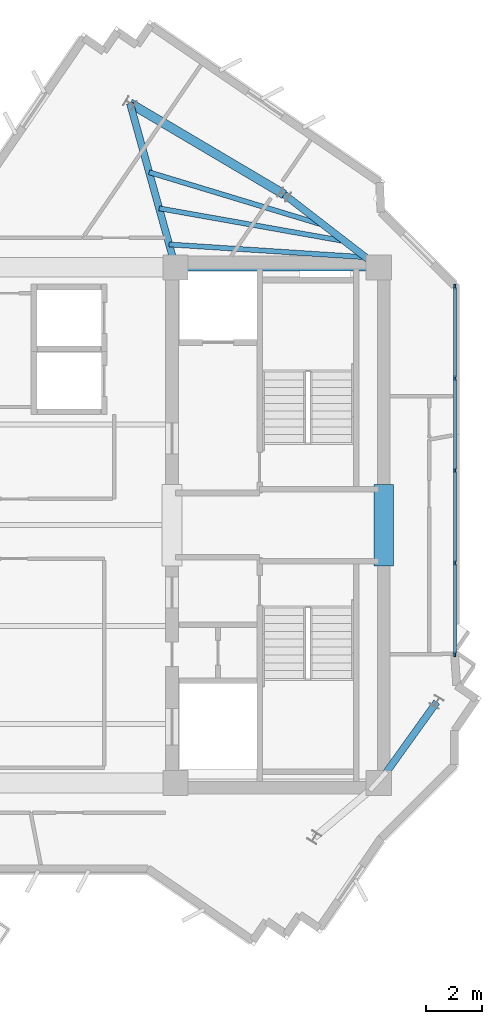
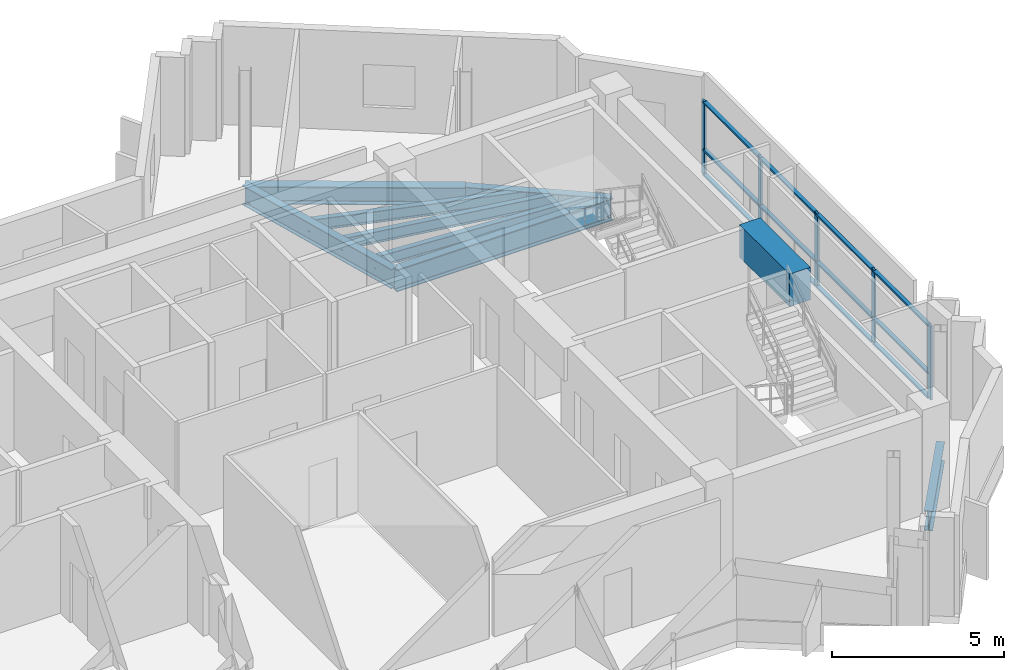
# One storey, part 3 of 11: 17 members, 9 beams, 1 element without a shape of its own.
"""IFC4 building model written with IfcOpenShell, lengths in metres."""

import ifcopenshell
import ifcopenshell.guid

model = None  # the IFC model being written
_history = None  # IfcOwnerHistory: only IFC2X3 demands one
_inside = {}  # id of a spatial element -> (the spatial element, [elements in it])
_under = {}  # id of a project, library or spatial element -> (it, [spatial elements below it])
_declared = {}  # id of a project -> (the project, [libraries it declares])
_typed = {}  # id of a type object -> (the type object, [elements of that type])
_made_of = {}  # id of a material, layer set ... -> (it, [elements and type objects made of it])


def new_model(schema):
    """Start an empty IFC model of exactly this schema.

    Asked for "IFC4X3", IfcOpenShell would pick the latest addendum, in which some entities
    have other attributes; the version numbers below select the first issue.
    IFC2X3 requires an IfcOwnerHistory on every rooted entity: one is made here for all.
    """
    global model, _history
    if schema == "IFC4X3":
        model = ifcopenshell.file(schema_version=(4, 3, 0, 0))
    else:
        model = ifcopenshell.file(schema=schema)
    _inside.clear()
    _under.clear()
    _declared.clear()
    _typed.clear()
    _made_of.clear()
    _history = None
    if model.schema == "IFC2X3":
        org = make("IfcOrganization", Name="unknown")
        user = make(
            "IfcPersonAndOrganization",
            ThePerson=make("IfcPerson", FamilyName="unknown"),
            TheOrganization=org,
        )
        app = make(
            "IfcApplication",
            ApplicationDeveloper=org,
            Version="unknown",
            ApplicationFullName="unknown",
            ApplicationIdentifier="unknown",
        )
        _history = make(
            "IfcOwnerHistory",
            OwningUser=user,
            OwningApplication=app,
            ChangeAction="ADDED",
            CreationDate=0,
        )
    return model


def make(cls, **values):
    """One entity of the class cls with the attributes given. An attribute that is None is left unset."""
    return model.create_entity(
        cls, **{name: value for name, value in values.items() if value is not None}
    )


def rooted(cls, **values):
    """An entity with a GlobalId (a new one), such as an element, a storey or a relation."""
    return make(cls, GlobalId=ifcopenshell.guid.new(), OwnerHistory=_history, **values)


def si_unit(unit_type, name, prefix=None):
    """IfcSIUnit, for example si_unit("LENGTHUNIT", "METRE", prefix="MILLI")."""
    return make("IfcSIUnit", UnitType=unit_type, Prefix=prefix, Name=name)


def assignment(units):
    """IfcUnitAssignment: the units of a project."""
    return None if units is None else make("IfcUnitAssignment", Units=units)


def point(xyz):
    """IfcCartesianPoint."""
    return None if xyz is None else make("IfcCartesianPoint", Coordinates=xyz)


def direction(xyz):
    """IfcDirection."""
    return None if xyz is None else make("IfcDirection", DirectionRatios=xyz)


def frame(location, z_axis=None, x_axis=None):
    """IfcAxis2Placement3D, a coordinate frame: its origin and axes. An axis left out is left unset."""
    return make(
        "IfcAxis2Placement3D",
        Location=point(location),
        Axis=direction(z_axis),
        RefDirection=direction(x_axis),
    )


def frame_2d(location, x_axis=None):
    """IfcAxis2Placement2D, a coordinate frame in the plane: its origin and x axis."""
    return make(
        "IfcAxis2Placement2D", Location=point(location), RefDirection=direction(x_axis)
    )


def origin():
    """The frame at (0, 0, 0) with its axes left unset."""
    return frame((0.0, 0.0, 0.0))


def origin_2d():
    """The frame at (0, 0) in the plane with its x axis left unset."""
    return frame_2d((0.0, 0.0))


def place(relative_to, where):
    """IfcLocalPlacement: puts the frame where relative to a parent placement (None: the world)."""
    return make(
        "IfcLocalPlacement", PlacementRelTo=relative_to, RelativePlacement=where
    )


def context(
    kind, dimensions, precision=None, world=None, true_north=None, identifier=None
):
    """IfcGeometricRepresentationContext, for example the 3D "Model" context."""
    return make(
        "IfcGeometricRepresentationContext",
        ContextIdentifier=identifier,
        ContextType=kind,
        CoordinateSpaceDimension=dimensions,
        Precision=precision,
        WorldCoordinateSystem=world,
        TrueNorth=true_north,
    )


def subcontext(parent, identifier, kind, view, scale=None):
    """IfcGeometricRepresentationSubContext, for example "Body" below "Model"."""
    return make(
        "IfcGeometricRepresentationSubContext",
        ContextIdentifier=identifier,
        ContextType=kind,
        ParentContext=parent,
        TargetScale=scale,
        TargetView=view,
    )


def project(units=None, contexts=None):
    """IfcProject with its units and contexts."""
    return rooted(
        "IfcProject",
        Name="project",
        RepresentationContexts=contexts,
        UnitsInContext=assignment(units),
    )


def spatial(cls, under=None, at=None, **own):
    """A site, building, storey or space (cls), placed at a placement, below another one or the project."""
    s = rooted(cls, ObjectPlacement=at, **own)
    if under is not None:
        _under.setdefault(under.id(), (under, []))[1].append(s)
    return s


def profile(cls, at=None, kind="AREA", **sizes):
    """A parametric profile (cls). Its sizes go by their IFC names, for example OverallWidth=200.0."""
    return make(cls, ProfileType=kind, Position=at, **sizes)


def rectangle(**sizes):
    """IfcRectangleProfileDef."""
    return profile("IfcRectangleProfileDef", **sizes)


def i_section(**sizes):
    """IfcIShapeProfileDef."""
    return profile("IfcIShapeProfileDef", **sizes)


def extrude(swept, where, along, depth):
    """IfcExtrudedAreaSolid: the profile swept, set in the frame where, extruded along a direction by depth."""
    return make(
        "IfcExtrudedAreaSolid",
        SweptArea=swept,
        Position=where,
        ExtrudedDirection=direction(along),
        Depth=depth,
    )


def shape(context_of_items, identifier, shape_type, items):
    """IfcShapeRepresentation: the items that make up one representation, for example the "Body"."""
    return make(
        "IfcShapeRepresentation",
        ContextOfItems=context_of_items,
        RepresentationIdentifier=identifier,
        RepresentationType=shape_type,
        Items=items,
    )


def source(mapping_origin, context_of_items, identifier, shape_type, items):
    """IfcRepresentationMap: a shape defined once, which mapped items show again and again."""
    return make(
        "IfcRepresentationMap",
        MappingOrigin=mapping_origin,
        MappedRepresentation=shape(context_of_items, identifier, shape_type, items),
    )


def transform(
    local_origin,
    x_axis=None,
    y_axis=None,
    z_axis=None,
    scale=None,
    scale2=None,
    scale3=None,
    uniform=True,
):
    """IfcCartesianTransformationOperator3D, or its non-uniform kind. x_axis, y_axis, z_axis: its Axis1, 2, 3."""
    if uniform:
        return make(
            "IfcCartesianTransformationOperator3D",
            Axis1=direction(x_axis),
            Axis2=direction(y_axis),
            LocalOrigin=point(local_origin),
            Scale=scale,
            Axis3=direction(z_axis),
        )
    return make(
        "IfcCartesianTransformationOperator3DnonUniform",
        Axis1=direction(x_axis),
        Axis2=direction(y_axis),
        LocalOrigin=point(local_origin),
        Scale=scale,
        Axis3=direction(z_axis),
        Scale2=scale2,
        Scale3=scale3,
    )


def mapped(mapping_source, mapping_target):
    """IfcMappedItem: shows the shape of a source again, moved by a transform."""
    return make(
        "IfcMappedItem", MappingSource=mapping_source, MappingTarget=mapping_target
    )


def material(Name=None, Category=None):
    """IfcMaterial."""
    return make("IfcMaterial", Name=Name, Category=Category)


def layer(
    of_material, thickness, ventilated=None, Name=None, Category=None, Priority=None
):
    """IfcMaterialLayer: one layer of a wall or slab, of a material (None: an air gap)."""
    return make(
        "IfcMaterialLayer",
        Material=of_material,
        LayerThickness=thickness,
        IsVentilated=ventilated,
        Name=Name,
        Category=Category,
        Priority=Priority,
    )


def layer_set(layers, Name=None):
    """IfcMaterialLayerSet."""
    return make("IfcMaterialLayerSet", MaterialLayers=layers, LayerSetName=Name)


def material_profile(
    of_material, cross_section, Name=None, Category=None, Priority=None
):
    """IfcMaterialProfile: a cross section and its material."""
    return make(
        "IfcMaterialProfile",
        Name=Name,
        Material=of_material,
        Profile=cross_section,
        Priority=Priority,
        Category=Category,
    )


def profile_set(profiles, Name=None, composite=None):
    """IfcMaterialProfileSet."""
    return make(
        "IfcMaterialProfileSet",
        Name=Name,
        MaterialProfiles=profiles,
        CompositeProfile=composite,
    )


def made_of(thing, what):
    """Note that an element or type object is made of a material, layer set ...; save() writes the relation."""
    if what is not None:
        _made_of.setdefault(what.id(), (what, []))[1].append(thing)
    return thing


def type_object(cls, material=None, **own):
    """A type object (cls), such as IfcWallType, which elements share."""
    return made_of(rooted(cls, **own), material)


def element(
    cls,
    number,
    at=None,
    inside=None,
    cuts=None,
    type_object=None,
    material=None,
    context=None,
    identifier="Body",
    shape_type=None,
    held_by="IfcProductDefinitionShape",
    body=None,
    shapes=None,
    **own,
):
    """One element of the class cls, such as IfcWall. Its Tag is "e" and its number.

    at: its placement. inside: the storey or other place that contains it. cuts: it is an
    opening in that element (IfcRelVoidsElement). A single representation is given by context,
    identifier, shape_type and body (its items); several are given by shapes. held_by: the class
    of the entity that holds the representations. save() writes the other relations.
    """
    e = rooted(cls, Tag="e%d" % number, ObjectPlacement=at, **own)
    if body is not None:
        shapes = [shape(context, identifier, shape_type, body)]
    if shapes is not None:
        e.Representation = make(held_by, Representations=shapes)
    if inside is not None:
        _inside.setdefault(inside.id(), (inside, []))[1].append(e)
    if cuts is not None:
        rooted(
            "IfcRelVoidsElement", RelatingBuildingElement=cuts, RelatedOpeningElement=e
        )
    if type_object is not None:
        _typed.setdefault(type_object.id(), (type_object, []))[1].append(e)
    return made_of(e, material)


def aggregate(whole, parts):
    """IfcRelAggregates: a whole, such as a stair, and the parts it consists of."""
    return rooted("IfcRelAggregates", RelatingObject=whole, RelatedObjects=parts)


def save(model, path):
    """Write the relations noted so far, then the file.

    IfcRelAggregates (storeys below a building ...), IfcRelContainedInSpatialStructure (elements
    in a storey), IfcRelDefinesByType, IfcRelAssociatesMaterial and IfcRelDeclares: one each for
    every whole, place, type object, material and project.
    """
    for whole, parts in _under.values():
        aggregate(whole, parts)
    for where, things in _inside.values():
        rooted(
            "IfcRelContainedInSpatialStructure",
            RelatedElements=things,
            RelatingStructure=where,
        )
    for kind, things in _typed.values():
        rooted("IfcRelDefinesByType", RelatedObjects=things, RelatingType=kind)
    for what, things in _made_of.values():
        rooted("IfcRelAssociatesMaterial", RelatedObjects=things, RelatingMaterial=what)
    for by, libraries in _declared.values():
        rooted("IfcRelDeclares", RelatingContext=by, RelatedDefinitions=libraries)
    model.write(path)


model = new_model("IFC4")

# Units and contexts
model_context = context("Model", 3, precision=1e-05, world=origin(), true_north=direction((0.0, 1.0)))
body_context = subcontext(model_context, "Body", "Model", "MODEL_VIEW")
ifc_project = project(units=[si_unit("LENGTHUNIT", "METRE"), si_unit("AREAUNIT", "SQUARE_METRE"), si_unit("VOLUMEUNIT", "CUBIC_METRE"), si_unit("PLANEANGLEUNIT", "RADIAN"), si_unit("MASSUNIT", "GRAM", prefix="KILO")], contexts=[model_context])

# Site, building, storey
site_placement = place(None, origin())
site = spatial("IfcSite", under=ifc_project, at=site_placement, CompositionType="ELEMENT")
building_placement = place(site_placement, origin())
building = spatial("IfcBuilding", under=site, at=building_placement, Name="Zahravan Cultural Tower", CompositionType="ELEMENT")
storey_placement = place(building_placement, frame((0.0, 0.0, 334.800048828125)))
storey = spatial("IfcBuildingStorey", under=building, at=storey_placement, Name="L81", CompositionType="ELEMENT", Elevation=334.800048828125)

# Beams
ifc_material_1 = material(Name="Concrete C50/60", Category="concrete")
ifc_material_profile_1 = material_profile(ifc_material_1, rectangle(XDim=0.699951171875, YDim=1.14990234375, at=origin_2d()), Name="RC700X1150")
ifc_profile_set_1 = profile_set([ifc_material_profile_1], Name="Concrete C50/60")
beam_type_1 = type_object("IfcBeamType", Name="BM-LN-RC700X1150", PredefinedType="LINTEL", material=ifc_profile_set_1)
shared_shape_1 = source(origin(), body_context, "Body", "SweptSolid", [
    extrude(rectangle(XDim=0.699951171875, YDim=1.14990234375, at=origin_2d()), origin(), (0.0, 0.0, 1.0), 2.89990234375),
])
beam_1_placement = place(storey_placement, frame((50.52490234375, 25.550048828125, 2.925048828125), z_axis=(0.0, 1.0, 0.0), x_axis=(-1.0, 0.0, 0.0)))
element("IfcBeam", 1, at=beam_1_placement, inside=storey, type_object=beam_type_1, Name="L81 Beam LN-L81-PEE", PredefinedType="LINTEL", context=body_context, shape_type="MappedRepresentation", body=[
    mapped(shared_shape_1, transform((0.0, 0.0, 0.0), x_axis=(1.0, 0.0, 0.0), y_axis=(0.0, 1.0, 0.0), z_axis=(0.0, 0.0, 1.0), scale=1.0)),
])
ifc_material_2 = material(Name="Steel ASTM A992 Grade 50", Category="steel")
ifc_material_profile_2 = material_profile(ifc_material_2, i_section(OverallWidth=0.26611328125, OverallDepth=0.780029296875, WebThickness=0.0166015625, FlangeThickness=0.030029296875, FilletRadius=0.01904296875, at=origin_2d()), Name="W30X148")
ifc_profile_set_2 = profile_set([ifc_material_profile_2], Name="Steel ASTM A992 Grade 50")
beam_type_2 = type_object("IfcBeamType", Name="BM-G-W30X148", PredefinedType="BEAM", material=ifc_profile_set_2)
shared_shape_2 = source(origin(), body_context, "Body", "SweptSolid", [
    extrude(i_section(OverallWidth=0.26611328125, OverallDepth=0.780029296875, WebThickness=0.0166015625, FlangeThickness=0.030029296875, FilletRadius=0.01904296875, at=origin_2d()), origin(), (0.0, 0.0, 1.0), 7.25),
])
beam_2_placement = place(storey_placement, frame((43.10009765625, 36.199951171875, -0.64013671875), z_axis=(1.0, 0.0, 0.0), x_axis=(0.0, 1.0, 0.0)))
element("IfcBeam", 2, at=beam_2_placement, inside=storey, type_object=beam_type_2, Name="L81 Beam BG-L81-05", PredefinedType="BEAM", context=body_context, shape_type="MappedRepresentation", body=[
    mapped(shared_shape_2, transform((0.0, 0.0, 0.0), x_axis=(1.0, 0.0, 0.0), y_axis=(0.0, 1.0, 0.0), z_axis=(0.0, 0.0, 1.0), scale=1.0)),
])
ifc_material_profile_3 = material_profile(ifc_material_2, i_section(OverallWidth=0.326904296875, OverallDepth=0.6220703125, WebThickness=0.015380859375, FlangeThickness=0.0244140625, FilletRadius=0.014892578125, at=origin_2d()), Name="W24X131")
ifc_profile_set_3 = profile_set([ifc_material_profile_3], Name="Steel ASTM A992 Grade 50")
beam_type_3 = type_object("IfcBeamType", Name="BM-SP-W24X131", PredefinedType="SPANDREL", material=ifc_profile_set_3)
shared_shape_3 = source(origin(), body_context, "Body", "SweptSolid", [
    extrude(i_section(OverallWidth=0.326904296875, OverallDepth=0.6220703125, WebThickness=0.015380859375, FlangeThickness=0.0244140625, FilletRadius=0.014892578125, at=origin_2d()), origin(), (0.0, 0.0, 1.0), 6.400634765625),
])
beam_3_placement = place(storey_placement, frame((46.98388671875, 38.7998046875, -0.56103515625), z_axis=(-0.860706991833, 0.509100652337, 0.0), x_axis=(-0.509100652337, -0.860706991833, 0.0)))
element("IfcBeam", 3, at=beam_3_placement, inside=storey, type_object=beam_type_3, Name="L81 Beam SP-L81-17", PredefinedType="SPANDREL", context=body_context, shape_type="MappedRepresentation", body=[
    mapped(shared_shape_3, transform((0.0, 0.0, 0.0), x_axis=(1.0, 0.0, 0.0), y_axis=(0.0, 1.0, 0.0), z_axis=(0.0, 0.0, 1.0), scale=1.0)),
])
ifc_material_profile_4 = material_profile(ifc_material_2, i_section(OverallWidth=0.177978515625, OverallDepth=0.406005859375, WebThickness=0.0078125, FlangeThickness=0.0126953125, FilletRadius=0.011962890625, at=origin_2d()), Name="W16X40")
ifc_profile_set_4 = profile_set([ifc_material_profile_4], Name="Steel ASTM A992 Grade 50")
beam_type_4 = type_object("IfcBeamType", Name="BM-J-W16X40", PredefinedType="JOIST", material=ifc_profile_set_4)
shared_shape_4 = source(origin(), body_context, "Body", "SweptSolid", [
    extrude(i_section(OverallWidth=0.177978515625, OverallDepth=0.406005859375, WebThickness=0.0078125, FlangeThickness=0.0126953125, FilletRadius=0.011962890625, at=origin_2d()), origin(), (0.0, 0.0, 1.0), 7.02099609375),
])
beam_4_placement = place(storey_placement, frame((49.878662109375, 36.56396484375, -0.453125), z_axis=(-0.99788584579, 0.064991066863, 0.0), x_axis=(-0.064991066863, -0.99788584579, 0.0)))
element("IfcBeam", 4, at=beam_4_placement, inside=storey, type_object=beam_type_4, Name="L81 Beam BJ-L81-40", PredefinedType="JOIST", context=body_context, shape_type="MappedRepresentation", body=[
    mapped(shared_shape_4, transform((0.0, 0.0, 0.0), x_axis=(1.0, 0.0, 0.0), y_axis=(0.0, 1.0, 0.0), z_axis=(0.0, 0.0, 1.0), scale=1.0)),
])
shared_shape_5 = source(origin(), body_context, "Body", "SweptSolid", [
    extrude(i_section(OverallWidth=0.177978515625, OverallDepth=0.406005859375, WebThickness=0.0078125, FlangeThickness=0.0126953125, FilletRadius=0.011962890625, at=origin_2d()), origin(), (0.0, 0.0, 1.0), 6.726318359375),
])
beam_5_placement = place(storey_placement, frame((49.13818359375, 37.135986328125, -0.453125), z_axis=(-0.98467447748, 0.17440233198, 0.0), x_axis=(-0.17440233198, -0.98467447748, 0.0)))
element("IfcBeam", 5, at=beam_5_placement, inside=storey, type_object=beam_type_4, Name="L81 Beam BJ-L81-42", PredefinedType="JOIST", context=body_context, shape_type="MappedRepresentation", body=[
    mapped(shared_shape_5, transform((0.0, 0.0, 0.0), x_axis=(1.0, 0.0, 0.0), y_axis=(0.0, 1.0, 0.0), z_axis=(0.0, 0.0, 1.0), scale=1.0)),
])
shared_shape_6 = source(origin(), body_context, "Body", "SweptSolid", [
    extrude(i_section(OverallWidth=0.177978515625, OverallDepth=0.406005859375, WebThickness=0.0078125, FlangeThickness=0.0126953125, FilletRadius=0.011962890625, at=origin_2d()), origin(), (0.0, 0.0, 1.0), 6.520263671875),
])
beam_6_placement = place(storey_placement, frame((48.397705078125, 37.707763671875, -0.453125), z_axis=(-0.957060297679, 0.289888921151, 0.0), x_axis=(-0.289888921151, -0.957060297679, 0.0)))
element("IfcBeam", 6, at=beam_6_placement, inside=storey, type_object=beam_type_4, Name="L81 Beam BJ-L81-44", PredefinedType="JOIST", context=body_context, shape_type="MappedRepresentation", body=[
    mapped(shared_shape_6, transform((0.0, 0.0, 0.0), x_axis=(1.0, 0.0, 0.0), y_axis=(0.0, 1.0, 0.0), z_axis=(0.0, 0.0, 1.0), scale=1.0)),
])
ifc_material_profile_5 = material_profile(ifc_material_2, i_section(OverallWidth=0.25390625, OverallDepth=0.68798828125, WebThickness=0.01318359375, FlangeThickness=0.02099609375, FilletRadius=0.01806640625, at=origin_2d()), Name="W27X102")
ifc_profile_set_5 = profile_set([ifc_material_profile_5], Name="Steel ASTM A992 Grade 50")
beam_type_5 = type_object("IfcBeamType", Name="BM-G-W27X102", PredefinedType="BEAM", material=ifc_profile_set_5)
shared_shape_7 = source(origin(), body_context, "Body", "SweptSolid", [
    extrude(i_section(OverallWidth=0.25390625, OverallDepth=0.68798828125, WebThickness=0.01318359375, FlangeThickness=0.02099609375, FilletRadius=0.01806640625, at=origin_2d()), origin(), (0.0, 0.0, 1.0), 4.25341796875),
])
beam_7_placement = place(storey_placement, frame((50.35009765625, 36.199951171875, -0.593994140625), z_axis=(-0.791433936253, 0.611254713313, 0.0), x_axis=(-0.611254713313, -0.791433936253, 0.0)))
element("IfcBeam", 7, at=beam_7_placement, inside=storey, type_object=beam_type_5, Name="L81 Beam BG-L81-11", PredefinedType="BEAM", context=body_context, shape_type="MappedRepresentation", body=[
    mapped(shared_shape_7, transform((0.0, 0.0, 0.0), x_axis=(1.0, 0.0, 0.0), y_axis=(0.0, 1.0, 0.0), z_axis=(0.0, 0.0, 1.0), scale=1.0)),
])
shared_shape_8 = source(origin(), body_context, "Body", "SweptSolid", [
    extrude(i_section(OverallWidth=0.25390625, OverallDepth=0.68798828125, WebThickness=0.01318359375, FlangeThickness=0.02099609375, FilletRadius=0.01806640625, at=origin_2d()), origin(), (0.0, 0.0, 1.0), 6.07958984375),
])
beam_8_placement = place(storey_placement, frame((43.10009765625, 36.199951171875, -0.593994140625), z_axis=(-0.267324894686, 0.963606455292, 0.0), x_axis=(-0.963606455292, -0.267324894686, 0.0)))
element("IfcBeam", 8, at=beam_8_placement, inside=storey, type_object=beam_type_5, Name="L81 Beam BG-L81-12", PredefinedType="BEAM", context=body_context, shape_type="MappedRepresentation", body=[
    mapped(shared_shape_8, transform((0.0, 0.0, 0.0), x_axis=(1.0, 0.0, 0.0), y_axis=(0.0, 1.0, 0.0), z_axis=(0.0, 0.0, 1.0), scale=1.0)),
])
shared_shape_9 = source(origin(), body_context, "Body", "SweptSolid", [
    extrude(i_section(OverallWidth=0.25390625, OverallDepth=0.68798828125, WebThickness=0.01318359375, FlangeThickness=0.02099609375, FilletRadius=0.01806640625, at=origin_2d()), origin(), (0.0, 0.0, 1.0), 3.5556640625),
])
beam_9_placement = place(storey_placement, frame((50.35009765625, 17.800048828125, -0.593994140625), z_axis=(0.58288028137, 0.812558045674, 0.0), x_axis=(-0.812558045674, 0.58288028137, 0.0)))
element("IfcBeam", 9, at=beam_9_placement, inside=storey, type_object=beam_type_5, Name="L81 Beam BG-L81-10", PredefinedType="BEAM", context=body_context, shape_type="MappedRepresentation", body=[
    mapped(shared_shape_9, transform((0.0, 0.0, 0.0), x_axis=(1.0, 0.0, 0.0), y_axis=(0.0, 1.0, 0.0), z_axis=(0.0, 0.0, 1.0), scale=1.0)),
])

# Curtain wall, members
ifc_material_3 = material(Name="Anodised bronze-aluminium mullion", Category="aluminium")
ifc_layer = layer(ifc_material_3, 0.1650390625)
ifc_layer_set = layer_set([ifc_layer], Name="Anodised bronze-aluminium mullion")
curtain_wall_type = type_object("IfcCurtainWallType", Name="CW-SYS-4", PredefinedType="USERDEFINED", material=ifc_layer_set)
curtain_wall_placement = place(storey_placement, origin())
curtain_wall = element("IfcCurtainWall", 10, at=curtain_wall_placement, inside=storey, type_object=curtain_wall_type, Name="L81 Recessed Curtain Wall CW-4.2", ObjectType="RECESSED GLAZING", PredefinedType="USERDEFINED")
ifc_material_profile_6 = material_profile(ifc_material_3, rectangle(XDim=0.06494140625, YDim=0.1650390625, at=origin_2d()), Name="AL-M65X165")
ifc_profile_set_6 = profile_set([ifc_material_profile_6], Name="Anodised bronze-aluminium mullion")
member_type_1 = type_object("IfcMemberType", Name="CWM-CW-4", PredefinedType="MULLION", material=ifc_profile_set_6)
shared_shape_10 = source(origin(), body_context, "Body", "SweptSolid", [
    extrude(rectangle(XDim=0.06494140625, YDim=0.1650390625, at=origin_2d()), origin(), (0.0, 0.0, 1.0), 2.619873046875),
])
member_1_placement = place(storey_placement, frame((53.06005859375, 35.509521484375, 0.0), z_axis=(0.0, 0.0, 1.0), x_axis=(1.0, 0.0, 0.0)))
member_1 = element("IfcMember", 11, at=member_1_placement, type_object=member_type_1, Name="CW-4 mullion 1", PredefinedType="MULLION", context=body_context, shape_type="MappedRepresentation", body=[
    mapped(shared_shape_10, transform((0.0, 0.0, 0.0), x_axis=(1.0, 0.0, 0.0), y_axis=(0.0, 1.0, 0.0), z_axis=(0.0, 0.0, 1.0), scale=1.0)),
])
member_2_placement = place(storey_placement, frame((53.06005859375, 32.24658203125, 0.0), z_axis=(0.0, 0.0, 1.0), x_axis=(1.0, 0.0, 0.0)))
member_2 = element("IfcMember", 12, at=member_2_placement, type_object=member_type_1, Name="CW-4 mullion 2", PredefinedType="MULLION", context=body_context, shape_type="MappedRepresentation", body=[
    mapped(shared_shape_10, transform((0.0, 0.0, 0.0), x_axis=(1.0, 0.0, 0.0), y_axis=(0.0, 1.0, 0.0), z_axis=(0.0, 0.0, 1.0), scale=1.0)),
])
member_3_placement = place(storey_placement, frame((53.06005859375, 28.951171875, 0.0), z_axis=(0.0, 0.0, 1.0), x_axis=(1.0, 0.0, 0.0)))
member_3 = element("IfcMember", 13, at=member_3_placement, type_object=member_type_1, Name="CW-4 mullion 3", PredefinedType="MULLION", context=body_context, shape_type="MappedRepresentation", body=[
    mapped(shared_shape_10, transform((0.0, 0.0, 0.0), x_axis=(1.0, 0.0, 0.0), y_axis=(0.0, 1.0, 0.0), z_axis=(0.0, 0.0, 1.0), scale=1.0)),
])
member_4_placement = place(storey_placement, frame((53.06005859375, 25.65576171875, 0.0), z_axis=(0.0, 0.0, 1.0), x_axis=(1.0, 0.0, 0.0)))
member_4 = element("IfcMember", 14, at=member_4_placement, type_object=member_type_1, Name="CW-4 mullion 4", PredefinedType="MULLION", context=body_context, shape_type="MappedRepresentation", body=[
    mapped(shared_shape_10, transform((0.0, 0.0, 0.0), x_axis=(1.0, 0.0, 0.0), y_axis=(0.0, 1.0, 0.0), z_axis=(0.0, 0.0, 1.0), scale=1.0)),
])
member_5_placement = place(storey_placement, frame((53.06005859375, 22.392578125, 0.0), z_axis=(0.0, 0.0, 1.0), x_axis=(1.0, 0.0, 0.0)))
member_5 = element("IfcMember", 15, at=member_5_placement, type_object=member_type_1, Name="CW-4 mullion 5", PredefinedType="MULLION", context=body_context, shape_type="MappedRepresentation", body=[
    mapped(shared_shape_10, transform((0.0, 0.0, 0.0), x_axis=(1.0, 0.0, 0.0), y_axis=(0.0, 1.0, 0.0), z_axis=(0.0, 0.0, 1.0), scale=1.0)),
])
ifc_material_profile_7 = material_profile(ifc_material_3, rectangle(XDim=0.1298828125, YDim=0.06494140625, at=origin_2d()), Name="AL-T65X130")
ifc_profile_set_7 = profile_set([ifc_material_profile_7], Name="Anodised bronze-aluminium mullion")
member_type_2 = type_object("IfcMemberType", Name="CWT-CW-4", PredefinedType="USERDEFINED", material=ifc_profile_set_7)
shared_shape_11 = source(origin(), body_context, "Body", "SweptSolid", [
    extrude(rectangle(XDim=0.1298828125, YDim=0.06494140625, at=origin_2d()), origin(), (0.0, 0.0, 1.0), 3.197998046875),
])
member_6_placement = place(storey_placement, frame((53.06005859375, 35.47705078125, 0.032470703125), z_axis=(0.0, -1.0, 0.0), x_axis=(1.0, 0.0, 0.0)))
member_6 = element("IfcMember", 16, at=member_6_placement, type_object=member_type_2, Name="CW-4 transom 1.1", ObjectType="TRANSOM", PredefinedType="USERDEFINED", context=body_context, shape_type="MappedRepresentation", body=[
    mapped(shared_shape_11, transform((0.0, 0.0, 0.0), x_axis=(1.0, 0.0, 0.0), y_axis=(0.0, 1.0, 0.0), z_axis=(0.0, 0.0, 1.0), scale=1.0)),
])
member_7_placement = place(storey_placement, frame((53.06005859375, 35.47705078125, 0.89990234375), z_axis=(0.0, -1.0, 0.0), x_axis=(1.0, 0.0, 0.0)))
member_7 = element("IfcMember", 17, at=member_7_placement, type_object=member_type_2, Name="CW-4 transom 1.2", ObjectType="TRANSOM", PredefinedType="USERDEFINED", context=body_context, shape_type="MappedRepresentation", body=[
    mapped(shared_shape_11, transform((0.0, 0.0, 0.0), x_axis=(1.0, 0.0, 0.0), y_axis=(0.0, 1.0, 0.0), z_axis=(0.0, 0.0, 1.0), scale=1.0)),
])
member_8_placement = place(storey_placement, frame((53.06005859375, 35.47705078125, 2.58740234375), z_axis=(0.0, -1.0, 0.0), x_axis=(1.0, 0.0, 0.0)))
member_8 = element("IfcMember", 18, at=member_8_placement, type_object=member_type_2, Name="CW-4 transom 1.3", ObjectType="TRANSOM", PredefinedType="USERDEFINED", context=body_context, shape_type="MappedRepresentation", body=[
    mapped(shared_shape_11, transform((0.0, 0.0, 0.0), x_axis=(1.0, 0.0, 0.0), y_axis=(0.0, 1.0, 0.0), z_axis=(0.0, 0.0, 1.0), scale=1.0)),
])
shared_shape_12 = source(origin(), body_context, "Body", "SweptSolid", [
    extrude(rectangle(XDim=0.1298828125, YDim=0.06494140625, at=origin_2d()), origin(), (0.0, 0.0, 1.0), 3.23046875),
])
member_9_placement = place(storey_placement, frame((53.06005859375, 32.214111328125, 0.032470703125), z_axis=(0.0, -1.0, 0.0), x_axis=(1.0, 0.0, 0.0)))
member_9 = element("IfcMember", 19, at=member_9_placement, type_object=member_type_2, Name="CW-4 transom 2.1", ObjectType="TRANSOM", PredefinedType="USERDEFINED", context=body_context, shape_type="MappedRepresentation", body=[
    mapped(shared_shape_12, transform((0.0, 0.0, 0.0), x_axis=(1.0, 0.0, 0.0), y_axis=(0.0, 1.0, 0.0), z_axis=(0.0, 0.0, 1.0), scale=1.0)),
])
member_10_placement = place(storey_placement, frame((53.06005859375, 32.214111328125, 0.89990234375), z_axis=(0.0, -1.0, 0.0), x_axis=(1.0, 0.0, 0.0)))
member_10 = element("IfcMember", 20, at=member_10_placement, type_object=member_type_2, Name="CW-4 transom 2.2", ObjectType="TRANSOM", PredefinedType="USERDEFINED", context=body_context, shape_type="MappedRepresentation", body=[
    mapped(shared_shape_12, transform((0.0, 0.0, 0.0), x_axis=(1.0, 0.0, 0.0), y_axis=(0.0, 1.0, 0.0), z_axis=(0.0, 0.0, 1.0), scale=1.0)),
])
member_11_placement = place(storey_placement, frame((53.06005859375, 32.214111328125, 2.58740234375), z_axis=(0.0, -1.0, 0.0), x_axis=(1.0, 0.0, 0.0)))
member_11 = element("IfcMember", 21, at=member_11_placement, type_object=member_type_2, Name="CW-4 transom 2.3", ObjectType="TRANSOM", PredefinedType="USERDEFINED", context=body_context, shape_type="MappedRepresentation", body=[
    mapped(shared_shape_12, transform((0.0, 0.0, 0.0), x_axis=(1.0, 0.0, 0.0), y_axis=(0.0, 1.0, 0.0), z_axis=(0.0, 0.0, 1.0), scale=1.0)),
])
member_12_placement = place(storey_placement, frame((53.06005859375, 28.918701171875, 0.032470703125), z_axis=(0.0, -1.0, 0.0), x_axis=(1.0, 0.0, 0.0)))
member_12 = element("IfcMember", 22, at=member_12_placement, type_object=member_type_2, Name="CW-4 transom 3.1", ObjectType="TRANSOM", PredefinedType="USERDEFINED", context=body_context, shape_type="MappedRepresentation", body=[
    mapped(shared_shape_12, transform((0.0, 0.0, 0.0), x_axis=(1.0, 0.0, 0.0), y_axis=(0.0, 1.0, 0.0), z_axis=(0.0, 0.0, 1.0), scale=1.0)),
])
member_13_placement = place(storey_placement, frame((53.06005859375, 28.918701171875, 0.89990234375), z_axis=(0.0, -1.0, 0.0), x_axis=(1.0, 0.0, 0.0)))
member_13 = element("IfcMember", 23, at=member_13_placement, type_object=member_type_2, Name="CW-4 transom 3.2", ObjectType="TRANSOM", PredefinedType="USERDEFINED", context=body_context, shape_type="MappedRepresentation", body=[
    mapped(shared_shape_12, transform((0.0, 0.0, 0.0), x_axis=(1.0, 0.0, 0.0), y_axis=(0.0, 1.0, 0.0), z_axis=(0.0, 0.0, 1.0), scale=1.0)),
])
member_14_placement = place(storey_placement, frame((53.06005859375, 28.918701171875, 2.58740234375), z_axis=(0.0, -1.0, 0.0), x_axis=(1.0, 0.0, 0.0)))
member_14 = element("IfcMember", 24, at=member_14_placement, type_object=member_type_2, Name="CW-4 transom 3.3", ObjectType="TRANSOM", PredefinedType="USERDEFINED", context=body_context, shape_type="MappedRepresentation", body=[
    mapped(shared_shape_12, transform((0.0, 0.0, 0.0), x_axis=(1.0, 0.0, 0.0), y_axis=(0.0, 1.0, 0.0), z_axis=(0.0, 0.0, 1.0), scale=1.0)),
])
shared_shape_13 = source(origin(), body_context, "Body", "SweptSolid", [
    extrude(rectangle(XDim=0.1298828125, YDim=0.06494140625, at=origin_2d()), origin(), (0.0, 0.0, 1.0), 3.19775390625),
])
member_15_placement = place(storey_placement, frame((53.06005859375, 25.623046875, 0.032470703125), z_axis=(0.0, -1.0, 0.0), x_axis=(1.0, 0.0, 0.0)))
member_15 = element("IfcMember", 25, at=member_15_placement, type_object=member_type_2, Name="CW-4 transom 4.1", ObjectType="TRANSOM", PredefinedType="USERDEFINED", context=body_context, shape_type="MappedRepresentation", body=[
    mapped(shared_shape_13, transform((0.0, 0.0, 0.0), x_axis=(1.0, 0.0, 0.0), y_axis=(0.0, 1.0, 0.0), z_axis=(0.0, 0.0, 1.0), scale=1.0)),
])
member_16_placement = place(storey_placement, frame((53.06005859375, 25.623046875, 0.89990234375), z_axis=(0.0, -1.0, 0.0), x_axis=(1.0, 0.0, 0.0)))
member_16 = element("IfcMember", 26, at=member_16_placement, type_object=member_type_2, Name="CW-4 transom 4.2", ObjectType="TRANSOM", PredefinedType="USERDEFINED", context=body_context, shape_type="MappedRepresentation", body=[
    mapped(shared_shape_13, transform((0.0, 0.0, 0.0), x_axis=(1.0, 0.0, 0.0), y_axis=(0.0, 1.0, 0.0), z_axis=(0.0, 0.0, 1.0), scale=1.0)),
])
member_17_placement = place(storey_placement, frame((53.06005859375, 25.623046875, 2.58740234375), z_axis=(0.0, -1.0, 0.0), x_axis=(1.0, 0.0, 0.0)))
member_17 = element("IfcMember", 27, at=member_17_placement, type_object=member_type_2, Name="CW-4 transom 4.3", ObjectType="TRANSOM", PredefinedType="USERDEFINED", context=body_context, shape_type="MappedRepresentation", body=[
    mapped(shared_shape_13, transform((0.0, 0.0, 0.0), x_axis=(1.0, 0.0, 0.0), y_axis=(0.0, 1.0, 0.0), z_axis=(0.0, 0.0, 1.0), scale=1.0)),
])
aggregate(curtain_wall, [member_1, member_2, member_3, member_4, member_5, member_6, member_7, member_8, member_9, member_10, member_11, member_12, member_13, member_14, member_15, member_16, member_17])

save(model, "model.ifc")
